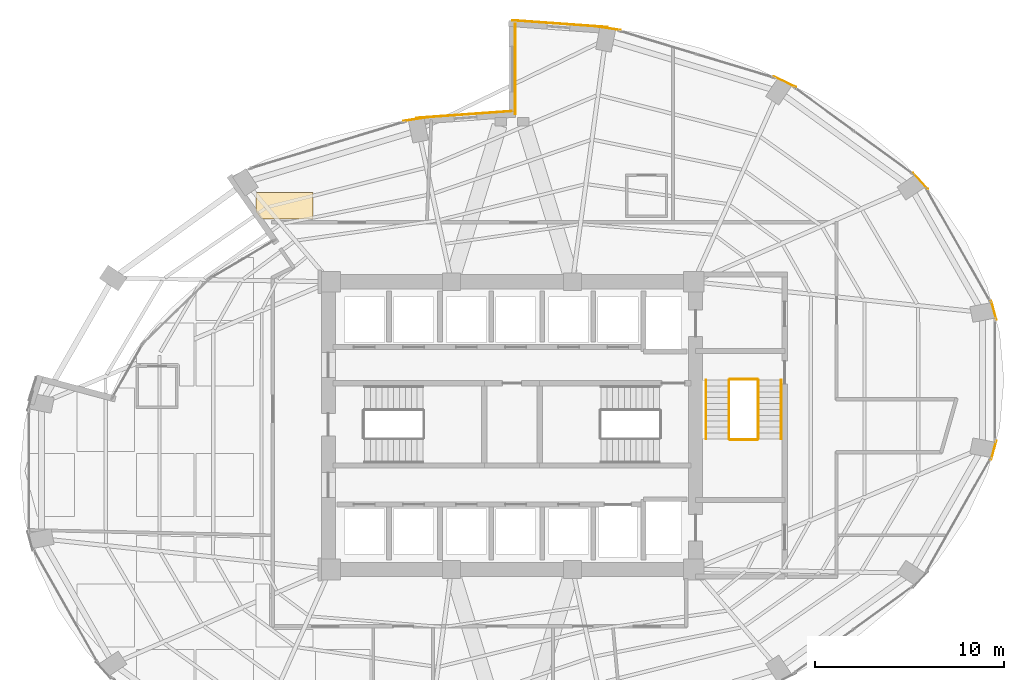
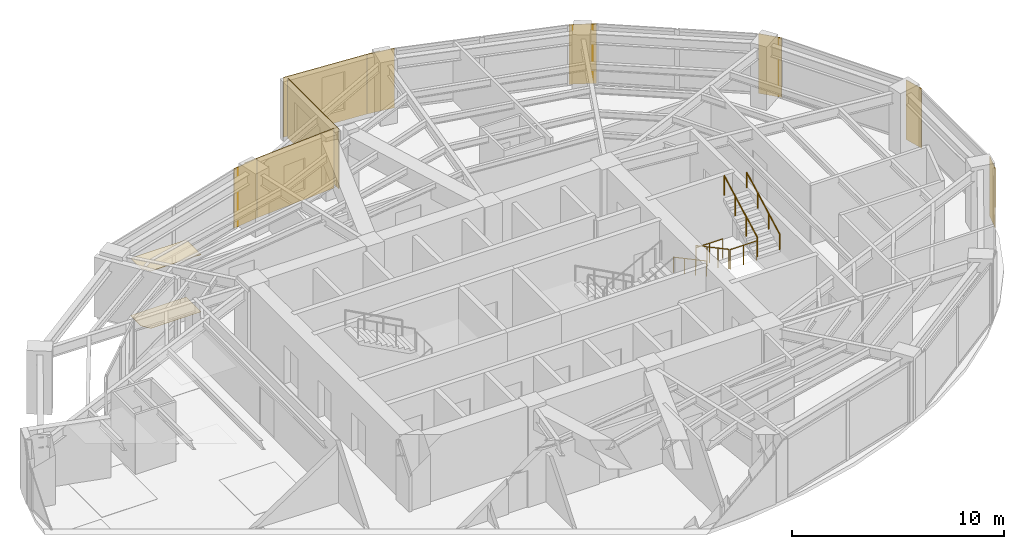
# One storey, part 24 of 24: 11 coverings, 6 railings.
"""IFC4 building model written with IfcOpenShell, lengths in metres."""

import ifcopenshell
import ifcopenshell.guid

model = None  # the IFC model being written
_history = None  # IfcOwnerHistory: only IFC2X3 demands one
_inside = {}  # id of a spatial element -> (the spatial element, [elements in it])
_under = {}  # id of a project, library or spatial element -> (it, [spatial elements below it])
_declared = {}  # id of a project -> (the project, [libraries it declares])
_typed = {}  # id of a type object -> (the type object, [elements of that type])
_made_of = {}  # id of a material, layer set ... -> (it, [elements and type objects made of it])


def new_model(schema):
    """Start an empty IFC model of exactly this schema.

    Asked for "IFC4X3", IfcOpenShell would pick the latest addendum, in which some entities
    have other attributes; the version numbers below select the first issue.
    IFC2X3 requires an IfcOwnerHistory on every rooted entity: one is made here for all.
    """
    global model, _history
    if schema == "IFC4X3":
        model = ifcopenshell.file(schema_version=(4, 3, 0, 0))
    else:
        model = ifcopenshell.file(schema=schema)
    _inside.clear()
    _under.clear()
    _declared.clear()
    _typed.clear()
    _made_of.clear()
    _history = None
    if model.schema == "IFC2X3":
        org = make("IfcOrganization", Name="unknown")
        user = make(
            "IfcPersonAndOrganization",
            ThePerson=make("IfcPerson", FamilyName="unknown"),
            TheOrganization=org,
        )
        app = make(
            "IfcApplication",
            ApplicationDeveloper=org,
            Version="unknown",
            ApplicationFullName="unknown",
            ApplicationIdentifier="unknown",
        )
        _history = make(
            "IfcOwnerHistory",
            OwningUser=user,
            OwningApplication=app,
            ChangeAction="ADDED",
            CreationDate=0,
        )
    return model


def make(cls, **values):
    """One entity of the class cls with the attributes given. An attribute that is None is left unset."""
    return model.create_entity(
        cls, **{name: value for name, value in values.items() if value is not None}
    )


def rooted(cls, **values):
    """An entity with a GlobalId (a new one), such as an element, a storey or a relation."""
    return make(cls, GlobalId=ifcopenshell.guid.new(), OwnerHistory=_history, **values)


def si_unit(unit_type, name, prefix=None):
    """IfcSIUnit, for example si_unit("LENGTHUNIT", "METRE", prefix="MILLI")."""
    return make("IfcSIUnit", UnitType=unit_type, Prefix=prefix, Name=name)


def assignment(units):
    """IfcUnitAssignment: the units of a project."""
    return None if units is None else make("IfcUnitAssignment", Units=units)


def point(xyz):
    """IfcCartesianPoint."""
    return None if xyz is None else make("IfcCartesianPoint", Coordinates=xyz)


def direction(xyz):
    """IfcDirection."""
    return None if xyz is None else make("IfcDirection", DirectionRatios=xyz)


def frame(location, z_axis=None, x_axis=None):
    """IfcAxis2Placement3D, a coordinate frame: its origin and axes. An axis left out is left unset."""
    return make(
        "IfcAxis2Placement3D",
        Location=point(location),
        Axis=direction(z_axis),
        RefDirection=direction(x_axis),
    )


def frame_2d(location, x_axis=None):
    """IfcAxis2Placement2D, a coordinate frame in the plane: its origin and x axis."""
    return make(
        "IfcAxis2Placement2D", Location=point(location), RefDirection=direction(x_axis)
    )


def origin():
    """The frame at (0, 0, 0) with its axes left unset."""
    return frame((0.0, 0.0, 0.0))


def origin_2d():
    """The frame at (0, 0) in the plane with its x axis left unset."""
    return frame_2d((0.0, 0.0))


def place(relative_to, where):
    """IfcLocalPlacement: puts the frame where relative to a parent placement (None: the world)."""
    return make(
        "IfcLocalPlacement", PlacementRelTo=relative_to, RelativePlacement=where
    )


def context(
    kind, dimensions, precision=None, world=None, true_north=None, identifier=None
):
    """IfcGeometricRepresentationContext, for example the 3D "Model" context."""
    return make(
        "IfcGeometricRepresentationContext",
        ContextIdentifier=identifier,
        ContextType=kind,
        CoordinateSpaceDimension=dimensions,
        Precision=precision,
        WorldCoordinateSystem=world,
        TrueNorth=true_north,
    )


def subcontext(parent, identifier, kind, view, scale=None):
    """IfcGeometricRepresentationSubContext, for example "Body" below "Model"."""
    return make(
        "IfcGeometricRepresentationSubContext",
        ContextIdentifier=identifier,
        ContextType=kind,
        ParentContext=parent,
        TargetScale=scale,
        TargetView=view,
    )


def project(units=None, contexts=None):
    """IfcProject with its units and contexts."""
    return rooted(
        "IfcProject",
        Name="project",
        RepresentationContexts=contexts,
        UnitsInContext=assignment(units),
    )


def spatial(cls, under=None, at=None, **own):
    """A site, building, storey or space (cls), placed at a placement, below another one or the project."""
    s = rooted(cls, ObjectPlacement=at, **own)
    if under is not None:
        _under.setdefault(under.id(), (under, []))[1].append(s)
    return s


def polyline(points):
    """IfcPolyline through the points."""
    return make("IfcPolyline", Points=[point(p) for p in points])


def profile(cls, at=None, kind="AREA", **sizes):
    """A parametric profile (cls). Its sizes go by their IFC names, for example OverallWidth=200.0."""
    return make(cls, ProfileType=kind, Position=at, **sizes)


def rectangle(**sizes):
    """IfcRectangleProfileDef."""
    return profile("IfcRectangleProfileDef", **sizes)


def circle(**sizes):
    """IfcCircleProfileDef."""
    return profile("IfcCircleProfileDef", **sizes)


def outline(outer, holes=None, kind="AREA"):
    """IfcArbitraryClosedProfileDef: a profile drawn as a closed curve; with holes, ...WithVoids."""
    if holes is None:
        return make("IfcArbitraryClosedProfileDef", ProfileType=kind, OuterCurve=outer)
    return make(
        "IfcArbitraryProfileDefWithVoids",
        ProfileType=kind,
        OuterCurve=outer,
        InnerCurves=holes,
    )


def extrude(swept, where, along, depth):
    """IfcExtrudedAreaSolid: the profile swept, set in the frame where, extruded along a direction by depth."""
    return make(
        "IfcExtrudedAreaSolid",
        SweptArea=swept,
        Position=where,
        ExtrudedDirection=direction(along),
        Depth=depth,
    )


def shape(context_of_items, identifier, shape_type, items):
    """IfcShapeRepresentation: the items that make up one representation, for example the "Body"."""
    return make(
        "IfcShapeRepresentation",
        ContextOfItems=context_of_items,
        RepresentationIdentifier=identifier,
        RepresentationType=shape_type,
        Items=items,
    )


def material(Name=None, Category=None):
    """IfcMaterial."""
    return make("IfcMaterial", Name=Name, Category=Category)


def layer(
    of_material, thickness, ventilated=None, Name=None, Category=None, Priority=None
):
    """IfcMaterialLayer: one layer of a wall or slab, of a material (None: an air gap)."""
    return make(
        "IfcMaterialLayer",
        Material=of_material,
        LayerThickness=thickness,
        IsVentilated=ventilated,
        Name=Name,
        Category=Category,
        Priority=Priority,
    )


def layer_set(layers, Name=None):
    """IfcMaterialLayerSet."""
    return make("IfcMaterialLayerSet", MaterialLayers=layers, LayerSetName=Name)


def made_of(thing, what):
    """Note that an element or type object is made of a material, layer set ...; save() writes the relation."""
    if what is not None:
        _made_of.setdefault(what.id(), (what, []))[1].append(thing)
    return thing


def type_object(cls, material=None, **own):
    """A type object (cls), such as IfcWallType, which elements share."""
    return made_of(rooted(cls, **own), material)


def element(
    cls,
    number,
    at=None,
    inside=None,
    cuts=None,
    type_object=None,
    material=None,
    context=None,
    identifier="Body",
    shape_type=None,
    held_by="IfcProductDefinitionShape",
    body=None,
    shapes=None,
    **own,
):
    """One element of the class cls, such as IfcWall. Its Tag is "e" and its number.

    at: its placement. inside: the storey or other place that contains it. cuts: it is an
    opening in that element (IfcRelVoidsElement). A single representation is given by context,
    identifier, shape_type and body (its items); several are given by shapes. held_by: the class
    of the entity that holds the representations. save() writes the other relations.
    """
    e = rooted(cls, Tag="e%d" % number, ObjectPlacement=at, **own)
    if body is not None:
        shapes = [shape(context, identifier, shape_type, body)]
    if shapes is not None:
        e.Representation = make(held_by, Representations=shapes)
    if inside is not None:
        _inside.setdefault(inside.id(), (inside, []))[1].append(e)
    if cuts is not None:
        rooted(
            "IfcRelVoidsElement", RelatingBuildingElement=cuts, RelatedOpeningElement=e
        )
    if type_object is not None:
        _typed.setdefault(type_object.id(), (type_object, []))[1].append(e)
    return made_of(e, material)


def aggregate(whole, parts):
    """IfcRelAggregates: a whole, such as a stair, and the parts it consists of."""
    return rooted("IfcRelAggregates", RelatingObject=whole, RelatedObjects=parts)


def save(model, path):
    """Write the relations noted so far, then the file.

    IfcRelAggregates (storeys below a building ...), IfcRelContainedInSpatialStructure (elements
    in a storey), IfcRelDefinesByType, IfcRelAssociatesMaterial and IfcRelDeclares: one each for
    every whole, place, type object, material and project.
    """
    for whole, parts in _under.values():
        aggregate(whole, parts)
    for where, things in _inside.values():
        rooted(
            "IfcRelContainedInSpatialStructure",
            RelatedElements=things,
            RelatingStructure=where,
        )
    for kind, things in _typed.values():
        rooted("IfcRelDefinesByType", RelatedObjects=things, RelatingType=kind)
    for what, things in _made_of.values():
        rooted("IfcRelAssociatesMaterial", RelatedObjects=things, RelatingMaterial=what)
    for by, libraries in _declared.values():
        rooted("IfcRelDeclares", RelatingContext=by, RelatedDefinitions=libraries)
    model.write(path)


model = new_model("IFC4")

# Units and contexts
model_context = context("Model", 3, precision=1e-05, world=origin(), true_north=direction((0.0, 1.0)))
body_context = subcontext(model_context, "Body", "Model", "MODEL_VIEW")
ifc_project = project(units=[si_unit("LENGTHUNIT", "METRE"), si_unit("AREAUNIT", "SQUARE_METRE"), si_unit("VOLUMEUNIT", "CUBIC_METRE"), si_unit("PLANEANGLEUNIT", "RADIAN"), si_unit("MASSUNIT", "GRAM", prefix="KILO")], contexts=[model_context])

# Site, building, storey
site_placement = place(None, origin())
site = spatial("IfcSite", under=ifc_project, at=site_placement, CompositionType="ELEMENT")
building_placement = place(site_placement, origin())
building = spatial("IfcBuilding", under=site, at=building_placement, Name="Lazwardi Medical Tower", CompositionType="ELEMENT")
storey_placement = place(building_placement, frame((0.0, 0.0, 118.22412109375)))
storey = spatial("IfcBuildingStorey", under=building, at=storey_placement, Name="L30", CompositionType="ELEMENT", Elevation=118.22412109375)

# Coverings
ifc_material_1 = material(Name="Anodised bronze aluminium cassette cladding", Category="aluminium")
ifc_layer_1 = layer(ifc_material_1, 0.030029296875)
ifc_layer_set_1 = layer_set([ifc_layer_1], Name="Anodised bronze aluminium cassette cladding")
covering_type_1 = type_object("IfcCoveringType", Name="COV-CLD-BRZ", PredefinedType="CLADDING", material=ifc_layer_set_1)
for number, where, z_axis, x_axis, name in (
    (1, (61.459716796875, 26.700927734375, 0.0), (0.0, 0.0, 1.0), (0.262696108164, 0.964878621774, 0.0), "L30 Mega-column bronze cassette cover M04"),
    (2, (61.459716796875, 34.09912109375, 0.0), (0.0, 0.0, 1.0), (-0.262696108164, 0.964878621774, 0.0), "L30 Mega-column bronze cassette cover M05"),
):
    element("IfcCovering", number, at=place(storey_placement, frame(where, z_axis=z_axis, x_axis=x_axis)), inside=storey, type_object=covering_type_1, Name=name, PredefinedType="CLADDING", context=body_context, shape_type="SweptSolid", body=[
        extrude(rectangle(XDim=1.04296875, YDim=0.030029296875, at=origin_2d()), origin(), (0.0, 0.0, 1.0), 3.427978515625),
    ])
covering_1_placement = place(storey_placement, frame((57.583740234375, 40.93408203125, 0.0), z_axis=(0.0, 0.0, 1.0), x_axis=(-0.674925949214, 0.737885467453, 0.0)))
element("IfcCovering", 3, at=covering_1_placement, inside=storey, type_object=covering_type_1, Name="L30 Mega-column bronze cassette cover M06", PredefinedType="CLADDING", context=body_context, shape_type="SweptSolid", body=[
    extrude(rectangle(XDim=1.15625, YDim=0.030029296875, at=origin_2d()), origin(), (0.0, 0.0, 1.0), 3.427978515625),
])
covering_2_placement = place(storey_placement, frame((50.421875, 46.16552734375, 0.0), z_axis=(0.0, 0.0, 1.0), x_axis=(-0.898679250201, 0.438606435495, 0.0)))
element("IfcCovering", 4, at=covering_2_placement, inside=storey, type_object=covering_type_1, Name="L30 Mega-column bronze cassette cover M07", PredefinedType="CLADDING", context=body_context, shape_type="SweptSolid", body=[
    extrude(rectangle(XDim=1.2998046875, YDim=0.030029296875, at=origin_2d()), origin(), (0.0, 0.0, 1.0), 3.427978515625),
])
for number, where, z_axis, x_axis, name in (
    (5, (41.064208984375, 48.99658203125, 0.0), (0.0, 0.0, 1.0), (-0.989609019093, 0.143784523955, 0.0), "L30 Mega-column bronze cassette cover M08"),
    (6, (30.935791015625, 44.19677734375, 0.0), (0.0, 0.0, 1.0), (-0.989609019093, -0.143784523955, 0.0), "L30 Mega-column bronze cassette cover M09"),
):
    element("IfcCovering", number, at=place(storey_placement, frame(where, z_axis=z_axis, x_axis=x_axis)), inside=storey, type_object=covering_type_1, Name=name, PredefinedType="CLADDING", context=body_context, shape_type="SweptSolid", body=[
        extrude(rectangle(XDim=1.392333984375, YDim=0.030029296875, at=origin_2d()), origin(), (0.0, 0.0, 1.0), 3.427978515625),
    ])
ifc_material_2 = material(Name="Turquoise glazed ceramic tilework cladding", Category="masonry")
ifc_layer_2 = layer(ifc_material_2, 0.034912109375)
ifc_layer_set_2 = layer_set([ifc_layer_2], Name="Turquoise glazed ceramic tilework cladding")
covering_type_2 = type_object("IfcCoveringType", Name="COV-CLD-TRQ", PredefinedType="CLADDING", material=ifc_layer_set_2)
covering_3_placement = place(storey_placement, frame((38.533203125, 49.23388671875, 0.0), z_axis=(0.0, 0.0, 1.0), x_axis=(-0.997431665415, 0.07162452672, 0.0)))
element("IfcCovering", 7, at=covering_3_placement, inside=storey, type_object=covering_type_2, Name="L30 Turquoise glazed ceramic tilework cladding", PredefinedType="CLADDING", context=body_context, shape_type="SweptSolid", body=[
    extrude(rectangle(XDim=5.05419921875, YDim=0.034912109375, at=origin_2d()), origin(), (0.0, 0.0, 1.0), 3.427978515625),
])
covering_4_placement = place(storey_placement, frame((33.466552734375, 44.43408203125, 0.0), z_axis=(0.0, 0.0, 1.0), x_axis=(-0.997431165357, -0.071631490105, 0.0)))
element("IfcCovering", 8, at=covering_4_placement, inside=storey, type_object=covering_type_2, Name="L30 Turquoise glazed ceramic tilework cladding", PredefinedType="CLADDING", context=body_context, shape_type="SweptSolid", body=[
    extrude(rectangle(XDim=5.0537109375, YDim=0.034912109375, at=origin_2d()), origin(), (0.0, 0.0, 1.0), 3.427978515625),
])
covering_5_placement = place(storey_placement, frame((36.175537109375, 46.840087890625, 0.0), z_axis=(0.0, 0.0, 1.0), x_axis=(0.0, -1.0, 0.0)))
element("IfcCovering", 9, at=covering_5_placement, inside=storey, type_object=covering_type_2, Name="L30 Turquoise glazed ceramic tilework iwan panel", PredefinedType="CLADDING", context=body_context, shape_type="SweptSolid", body=[
    extrude(rectangle(XDim=4.800048828125, YDim=0.034912109375, at=origin_2d()), origin(), (0.0, 0.0, 1.0), 3.427978515625),
])
ifc_material_3 = material(Name="Acoustic mineral fibre tile")
ifc_layer_3 = layer(ifc_material_3, 0.02490234375)
ifc_layer_set_3 = layer_set([ifc_layer_3], Name="Acoustic mineral fibre tile")
covering_type_3 = type_object("IfcCoveringType", Name="COV-CLG-01", PredefinedType="CEILING", material=ifc_layer_set_3)
covering_6_placement = place(storey_placement, frame((0.0, 0.0, 3.282958984375)))
element("IfcCovering", 10, at=covering_6_placement, inside=storey, type_object=covering_type_3, Name="L30 Clinical Acoustic Ceiling 9", PredefinedType="CEILING", context=body_context, shape_type="SweptSolid", body=[
    extrude(outline(polyline([(22.462890625, 39.33837890625), (22.753662109375, 38.92333984375), (22.755859375, 38.923583984375), (22.763671875, 38.92431640625), (22.77294921875, 38.9248046875), (22.777099609375, 38.925048828125), (25.492919921875, 38.925048828125), (25.492919921875, 40.322509765625), (22.462890625, 40.322509765625), (22.462890625, 39.33837890625)])), origin(), (0.0, 0.0, 1.0), 0.02490234375),
])
ifc_material_4 = material(Name="Anti-static hospital vinyl sheet flooring")
ifc_layer_4 = layer(ifc_material_4, 0.014892578125)
ifc_layer_set_4 = layer_set([ifc_layer_4], Name="Anti-static hospital vinyl sheet flooring")
covering_type_4 = type_object("IfcCoveringType", Name="COV-FLR-01", PredefinedType="FLOORING", material=ifc_layer_set_4)
covering_7_placement = place(storey_placement, origin())
element("IfcCovering", 11, at=covering_7_placement, inside=storey, type_object=covering_type_4, Name="L30 Clinical Vinyl Flooring 10", PredefinedType="FLOORING", context=body_context, shape_type="SweptSolid", body=[
    extrude(outline(polyline([(22.462890625, 39.33837890625), (22.753662109375, 38.92333984375), (22.755859375, 38.923583984375), (22.763671875, 38.92431640625), (22.77294921875, 38.9248046875), (22.777099609375, 38.925048828125), (25.492919921875, 38.925048828125), (25.492919921875, 40.322509765625), (22.462890625, 40.322509765625), (22.462890625, 39.33837890625)])), origin(), (0.0, 0.0, 1.0), 0.014892578125),
])

# Railings
ifc_material_5 = material(Name="Stainless steel Grade 316", Category="steel")
railing_type_1 = type_object("IfcRailingType", Name="RLG-GRD-1150", PredefinedType="GUARDRAIL", material=ifc_material_5)
railing_1_placement = place(storey_placement, frame((47.469970703125, 30.39990234375, 0.165771484375)))
element("IfcRailing", 12, at=railing_1_placement, inside=storey, type_object=railing_type_1, Name="L30 ST3 stair guard 1", PredefinedType="GUARDRAIL", context=body_context, shape_type="SweptSolid", body=[
    extrude(circle(Radius=0.02392578125, at=origin_2d()), frame((0.0, 0.0, 1.1259765625), z_axis=(0.0, -0.881767849116, 0.471683644262), x_axis=(1.0, 0.0, 0.0)), (0.0, 0.0, 1.0), 3.515380859375),
    extrude(circle(Radius=0.02099609375, at=origin_2d()), origin(), (0.0, 0.0, 1.0), 1.099853515625),
    extrude(circle(Radius=0.02099609375, at=origin_2d()), frame((0.0, -1.033203125, 0.552734375)), (0.0, 0.0, 1.0), 1.099853515625),
    extrude(circle(Radius=0.02099609375, at=origin_2d()), frame((0.0, -2.066650390625, 1.10546875)), (0.0, 0.0, 1.0), 1.099853515625),
    extrude(circle(Radius=0.02099609375, at=origin_2d()), frame((0.0, -3.099853515625, 1.658203125)), (0.0, 0.0, 1.0), 1.099853515625),
])
railing_2_placement = place(storey_placement, frame((47.52001953125, 27.25, 1.823974609375)))
element("IfcRailing", 13, at=railing_2_placement, inside=storey, type_object=railing_type_1, Name="L30 ST3 stair guard 2", PredefinedType="GUARDRAIL", context=body_context, shape_type="SweptSolid", body=[
    extrude(circle(Radius=0.02392578125, at=origin_2d()), frame((0.0, 0.0, 1.1259765625), z_axis=(1.0, 0.0, 0.0), x_axis=(0.0, 1.0, 0.0)), (0.0, 0.0, 1.0), 1.43994140625),
    extrude(circle(Radius=0.02099609375, at=origin_2d()), origin(), (0.0, 0.0, 1.0), 1.099853515625),
    extrude(circle(Radius=0.02099609375, at=origin_2d()), frame((0.719970703125, 0.0, 0.0)), (0.0, 0.0, 1.0), 1.099853515625),
    extrude(circle(Radius=0.02099609375, at=origin_2d()), frame((1.43994140625, 0.0, 0.0)), (0.0, 0.0, 1.0), 1.099853515625),
])
railing_3_placement = place(storey_placement, frame((49.010009765625, 27.300048828125, 1.98974609375)))
element("IfcRailing", 14, at=railing_3_placement, inside=storey, type_object=railing_type_1, Name="L30 ST3 stair guard 3", PredefinedType="GUARDRAIL", context=body_context, shape_type="SweptSolid", body=[
    extrude(circle(Radius=0.02392578125, at=origin_2d()), frame((0.0, 0.0, 1.1259765625), z_axis=(0.0, 0.881767849116, 0.471683644262), x_axis=(-1.0, 0.0, 0.0)), (0.0, 0.0, 1.0), 3.515380859375),
    extrude(circle(Radius=0.02099609375, at=origin_2d()), origin(), (0.0, 0.0, 1.0), 1.099853515625),
    extrude(circle(Radius=0.02099609375, at=origin_2d()), frame((0.0, 1.033203125, 0.552734375)), (0.0, 0.0, 1.0), 1.099853515625),
    extrude(circle(Radius=0.02099609375, at=origin_2d()), frame((0.0, 2.066650390625, 1.10546875)), (0.0, 0.0, 1.0), 1.099853515625),
    extrude(circle(Radius=0.02099609375, at=origin_2d()), frame((0.0, 3.099853515625, 1.658203125)), (0.0, 0.0, 1.0), 1.099853515625),
])
railing_4_placement = place(storey_placement, frame((47.52001953125, 30.449951171875, 0.0)))
element("IfcRailing", 15, at=railing_4_placement, inside=storey, type_object=railing_type_1, Name="L30 ST3 stair guard 4", PredefinedType="GUARDRAIL", context=body_context, shape_type="SweptSolid", body=[
    extrude(circle(Radius=0.02392578125, at=origin_2d()), frame((0.0, 0.0, 1.1259765625), z_axis=(1.0, 0.0, 0.0), x_axis=(0.0, 1.0, 0.0)), (0.0, 0.0, 1.0), 1.43994140625),
    extrude(circle(Radius=0.02099609375, at=origin_2d()), origin(), (0.0, 0.0, 1.0), 1.099853515625),
    extrude(circle(Radius=0.02099609375, at=origin_2d()), frame((0.719970703125, 0.0, 0.0)), (0.0, 0.0, 1.0), 1.099853515625),
    extrude(circle(Radius=0.02099609375, at=origin_2d()), frame((1.43994140625, 0.0, 0.0)), (0.0, 0.0, 1.0), 1.099853515625),
])
railing_type_2 = type_object("IfcRailingType", Name="RLG-HND-920", PredefinedType="HANDRAIL", material=ifc_material_5)
railing_5_placement = place(storey_placement, frame((46.25, 30.39990234375, 0.165771484375)))
element("IfcRailing", 16, at=railing_5_placement, inside=storey, type_object=railing_type_2, Name="L30 ST3 stair handrail 1", PredefinedType="HANDRAIL", context=body_context, shape_type="SweptSolid", body=[
    extrude(circle(Radius=0.02392578125, at=origin_2d()), frame((0.0, 0.0, 0.8857421875), z_axis=(0.0, -0.881767849116, 0.471683644262), x_axis=(1.0, 0.0, 0.0)), (0.0, 0.0, 1.0), 3.515380859375),
    extrude(circle(Radius=0.02099609375, at=origin_2d()), origin(), (0.0, 0.0, 1.0), 0.85986328125),
    extrude(circle(Radius=0.02099609375, at=origin_2d()), frame((0.0, -1.033203125, 0.552734375)), (0.0, 0.0, 1.0), 0.85986328125),
    extrude(circle(Radius=0.02099609375, at=origin_2d()), frame((0.0, -2.066650390625, 1.10546875)), (0.0, 0.0, 1.0), 0.85986328125),
    extrude(circle(Radius=0.02099609375, at=origin_2d()), frame((0.0, -3.099853515625, 1.658203125)), (0.0, 0.0, 1.0), 0.85986328125),
])
railing_6_placement = place(storey_placement, frame((50.22998046875, 27.300048828125, 1.98974609375)))
element("IfcRailing", 17, at=railing_6_placement, inside=storey, type_object=railing_type_2, Name="L30 ST3 stair handrail 2", PredefinedType="HANDRAIL", context=body_context, shape_type="SweptSolid", body=[
    extrude(circle(Radius=0.02392578125, at=origin_2d()), frame((0.0, 0.0, 0.8857421875), z_axis=(0.0, 0.881767849116, 0.471683644262), x_axis=(-1.0, 0.0, 0.0)), (0.0, 0.0, 1.0), 3.515380859375),
    extrude(circle(Radius=0.02099609375, at=origin_2d()), origin(), (0.0, 0.0, 1.0), 0.85986328125),
    extrude(circle(Radius=0.02099609375, at=origin_2d()), frame((0.0, 1.033203125, 0.552734375)), (0.0, 0.0, 1.0), 0.85986328125),
    extrude(circle(Radius=0.02099609375, at=origin_2d()), frame((0.0, 2.066650390625, 1.10546875)), (0.0, 0.0, 1.0), 0.85986328125),
    extrude(circle(Radius=0.02099609375, at=origin_2d()), frame((0.0, 3.099853515625, 1.658203125)), (0.0, 0.0, 1.0), 0.85986328125),
])

save(model, "model.ifc")
